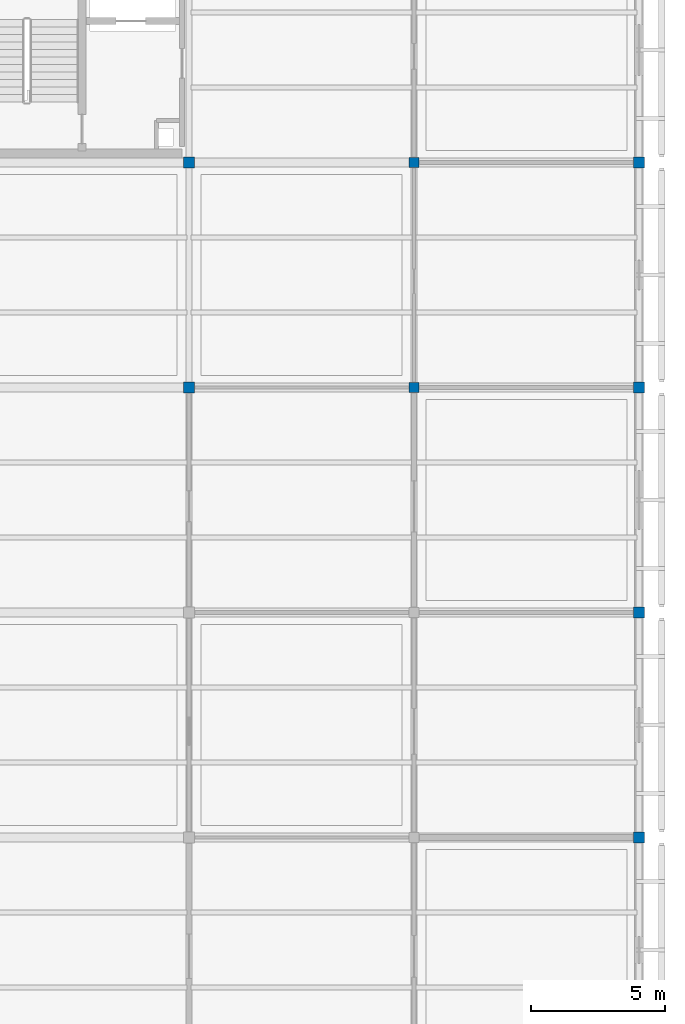
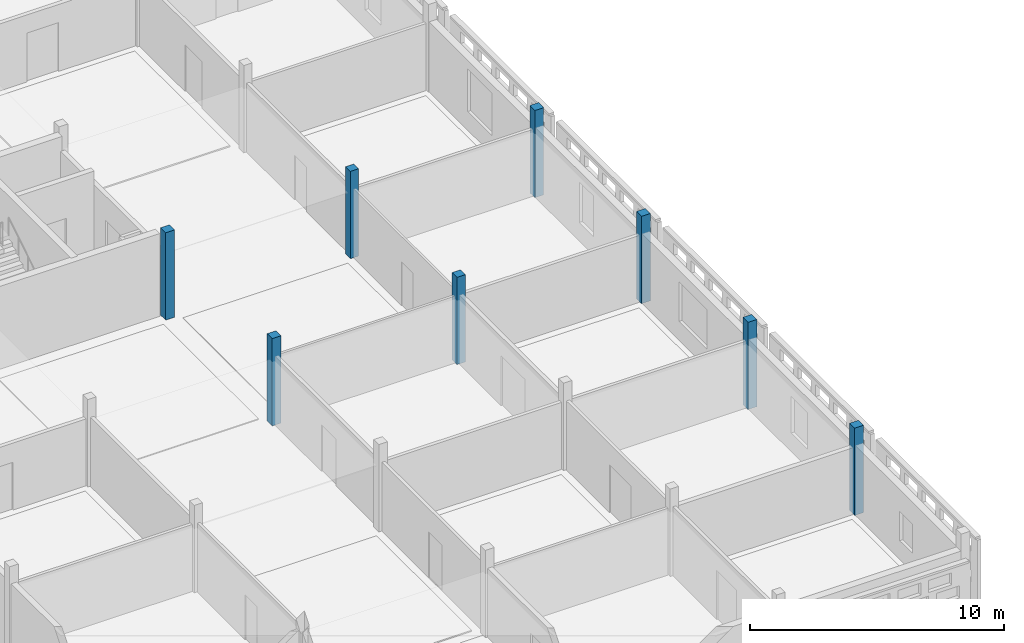
# One storey, part 11 of 140: 8 columns.
"""IFC4 building model written with IfcOpenShell, lengths in metres."""

from ifc_helpers import new_model, si_unit, direction, frame, origin, origin_2d, place, context, subcontext, project, spatial, rectangle, extrude, material, material_profile, profile_set, type_object, element, save


model = new_model("IFC4")

# Units and contexts
model_context = context("Model", 3, precision=1e-05, world=origin(), true_north=direction((0.0, 1.0)))
body_context = subcontext(model_context, "Body", "Model", "MODEL_VIEW")
ifc_project = project(units=[si_unit("LENGTHUNIT", "METRE"), si_unit("AREAUNIT", "SQUARE_METRE"), si_unit("VOLUMEUNIT", "CUBIC_METRE"), si_unit("PLANEANGLEUNIT", "RADIAN"), si_unit("MASSUNIT", "GRAM", prefix="KILO")], contexts=[model_context])

# Site, building, storey
site_placement = place(None, origin())
site = spatial("IfcSite", under=ifc_project, at=site_placement, CompositionType="ELEMENT")
building_placement = place(site_placement, origin())
building = spatial("IfcBuilding", under=site, at=building_placement, Name="Varnapada Polytechnic", CompositionType="ELEMENT")
storey_placement = place(building_placement, frame((0.0, 0.0, 13.800048828125)))
storey = spatial("IfcBuildingStorey", under=building, at=storey_placement, Name="L03", CompositionType="ELEMENT", Elevation=13.800048828125)

# Columns
ifc_material = material(Name="Glulam GL32h", Category="wood")
ifc_material_profile_1 = material_profile(ifc_material, rectangle(XDim=0.39990234375, YDim=0.39990234375, at=origin_2d()), Name="GL 400x400")
ifc_profile_set_1 = profile_set([ifc_material_profile_1], Name="Glulam GL32h")
column_type_1 = type_object("IfcColumnType", Name="Column C-13 (GL 400x400)", PredefinedType="COLUMN", material=ifc_profile_set_1)
for number, where, z_axis, x_axis, name in (
    (1, (159.60009765625, 84.0, 0.0), (0.0, 0.0, 1.0), (1.0, 0.0, 0.0), "L03 column 20/11"),
    (2, (159.60009765625, 92.39990234375, 0.0), (0.0, 0.0, 1.0), (1.0, 0.0, 0.0), "L03 column 20/12"),
    (3, (176.39990234375, 67.199951171875, 0.0), (0.0, 0.0, 1.0), (1.0, 0.0, 0.0), "L03 column 22/9"),
    (4, (176.39990234375, 75.60009765625, 0.0), (0.0, 0.0, 1.0), (1.0, 0.0, 0.0), "L03 column 22/10"),
    (5, (176.39990234375, 84.0, 0.0), (0.0, 0.0, 1.0), (1.0, 0.0, 0.0), "L03 column 22/11"),
    (6, (176.39990234375, 92.39990234375, 0.0), (0.0, 0.0, 1.0), (1.0, 0.0, 0.0), "L03 column 22/12"),
):
    element("IfcColumn", number, at=place(storey_placement, frame(where, z_axis=z_axis, x_axis=x_axis)), inside=storey, type_object=column_type_1, Name=name, PredefinedType="COLUMN", context=body_context, shape_type="SweptSolid", body=[
        extrude(rectangle(XDim=0.39990234375, YDim=0.39990234375, at=origin_2d()), origin(), (0.0, 0.0, 1.0), 4.199951171875),
    ])
ifc_material_profile_2 = material_profile(ifc_material, rectangle(XDim=0.3798828125, YDim=0.3798828125, at=origin_2d()), Name="GL 380x380")
ifc_profile_set_2 = profile_set([ifc_material_profile_2], Name="Glulam GL32h")
column_type_2 = type_object("IfcColumnType", Name="Column C-24 (GL 380x380)", PredefinedType="COLUMN", material=ifc_profile_set_2)
for number, where, z_axis, x_axis, name in (
    (7, (168.0, 84.0, 0.0), (0.0, 0.0, 1.0), (1.0, 0.0, 0.0), "L03 column 21/11"),
    (8, (168.0, 92.39990234375, 0.0), (0.0, 0.0, 1.0), (1.0, 0.0, 0.0), "L03 column 21/12"),
):
    element("IfcColumn", number, at=place(storey_placement, frame(where, z_axis=z_axis, x_axis=x_axis)), inside=storey, type_object=column_type_2, Name=name, PredefinedType="COLUMN", context=body_context, shape_type="SweptSolid", body=[
        extrude(rectangle(XDim=0.3798828125, YDim=0.3798828125, at=origin_2d()), origin(), (0.0, 0.0, 1.0), 4.199951171875),
    ])

save(model, "model.ifc")
